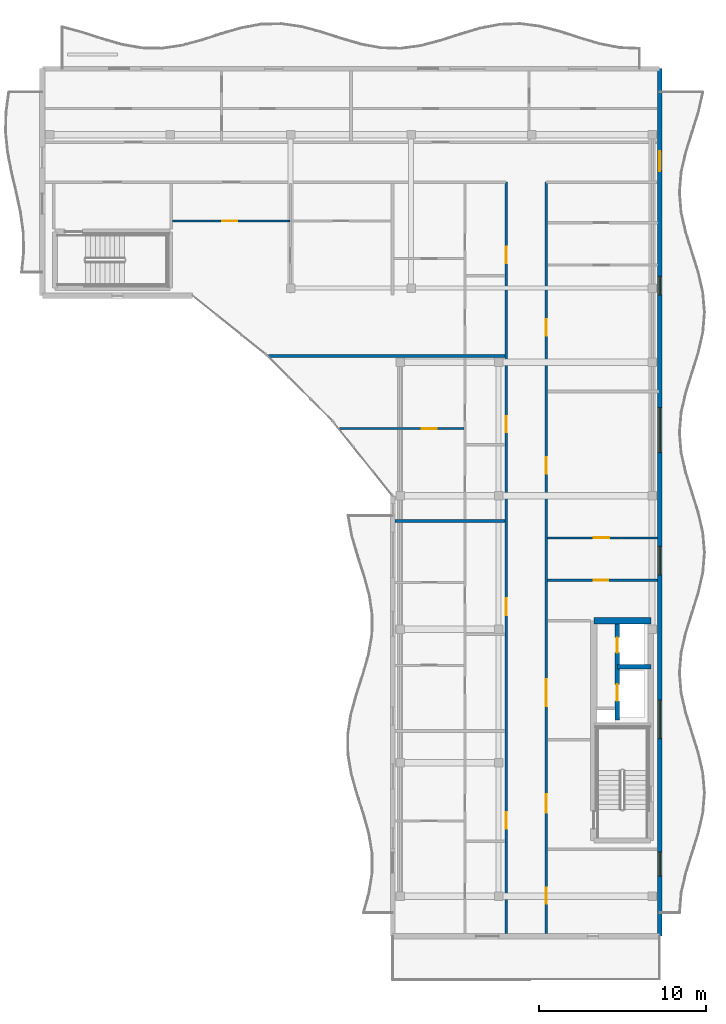
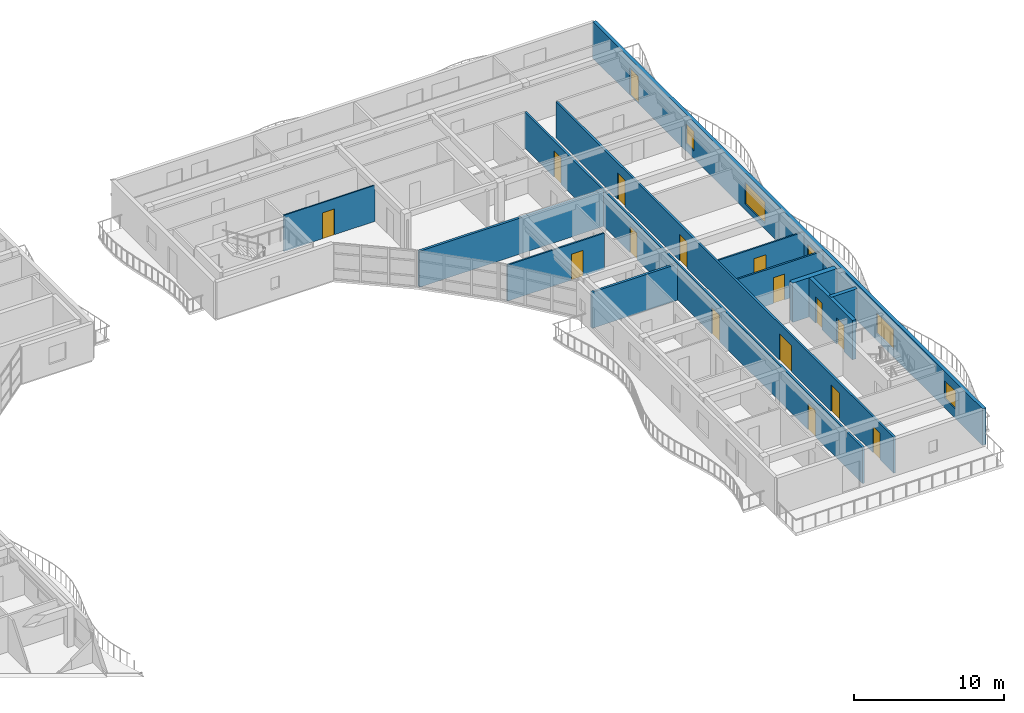
# One storey, part 20 of 30: 16 doors, 12 walls, 5 windows, 21 openings.
"""IFC4 building model written with IfcOpenShell, lengths in metres."""

from ifc_helpers import new_model, si_unit, direction, frame, frame_2d, origin, place, context, subcontext, project, spatial, rectangle, extrude, material, layer, layer_set, type_object, element, fill, save


model = new_model("IFC4")

# Units and contexts
model_context = context("Model", 3, precision=1e-05, world=origin(), true_north=direction((0.0, 1.0)))
body_context = subcontext(model_context, "Body", "Model", "MODEL_VIEW")
ifc_project = project(units=[si_unit("LENGTHUNIT", "METRE"), si_unit("AREAUNIT", "SQUARE_METRE"), si_unit("VOLUMEUNIT", "CUBIC_METRE"), si_unit("PLANEANGLEUNIT", "RADIAN"), si_unit("MASSUNIT", "GRAM", prefix="KILO")], contexts=[model_context])

# Site, building, storey
site_placement = place(None, origin())
site = spatial("IfcSite", under=ifc_project, at=site_placement, CompositionType="ELEMENT")
building_placement = place(site_placement, origin())
building = spatial("IfcBuilding", under=site, at=building_placement, Name="Keldmere Railside Commons", CompositionType="ELEMENT")
storey_placement = place(building_placement, frame((0.0, 0.0, 36.159912109375)))
storey = spatial("IfcBuildingStorey", under=building, at=storey_placement, Name="L11", CompositionType="ELEMENT", Elevation=36.159912109375)

# Walls
ifc_material_1 = material(Name="Acoustic Gypsum Board Partition", Category="gypsum")
ifc_layer_1 = layer(ifc_material_1, 0.179931640625, Name="Acoustic Demising Partition 180")
ifc_layer_set_1 = layer_set([ifc_layer_1], Name="Acoustic Gypsum Board Partition")
wall_type_1 = type_object("IfcWallType", Name="Acoustic Demising Partition 180", PredefinedType="PARTITIONING", material=ifc_layer_set_1)
wall_1_placement = place(storey_placement, frame((168.1298828125, 86.489990234375, 0.0), z_axis=(0.0, 0.0, 1.0), x_axis=(1.0, 0.0, 0.0)))
element("IfcWall", 1, at=wall_1_placement, inside=storey, type_object=wall_type_1, Name="IW-1 IW-L11-1862", PredefinedType="PARTITIONING", context=body_context, shape_type="SweptSolid", body=[
    extrude(rectangle(XDim=6.590087890625, YDim=0.179931640625, at=frame_2d((3.294921875, 0.0))), origin(), (0.0, 0.0, 1.0), 2.93505859375),
])
wall_2_placement = place(storey_placement, frame((160.552490234375, 96.3798828125, 0.0), z_axis=(0.0, 0.0, 1.0), x_axis=(1.0, 0.0, 0.0)))
element("IfcWall", 2, at=wall_2_placement, inside=storey, type_object=wall_type_1, Name="IW-1 IW-L11-1863", PredefinedType="PARTITIONING", context=body_context, shape_type="SweptSolid", body=[
    extrude(rectangle(XDim=14.16748046875, YDim=0.179931640625, at=frame_2d((7.083740234375, 0.0))), origin(), (0.0, 0.0, 1.0), 2.93505859375),
])

# Wall, opening, door
ifc_layer_2 = layer(ifc_material_1, 0.1201171875, Name="Apartment Interior Partition 120")
ifc_layer_set_2 = layer_set([ifc_layer_2], Name="Acoustic Gypsum Board Partition")
wall_type_2 = type_object("IfcWallType", Name="Apartment Interior Partition 120", PredefinedType="PARTITIONING", material=ifc_layer_set_2)
wall_3_placement = place(storey_placement, frame((164.826171875, 92.02001953125, 0.0), z_axis=(0.0, 0.0, 1.0), x_axis=(1.0, 0.0, 0.0)))
wall_3 = element("IfcWall", 3, at=wall_3_placement, inside=storey, type_object=wall_type_2, Name="IW-4 IW-L11-1873", PredefinedType="PARTITIONING", context=body_context, shape_type="SweptSolid", body=[
    extrude(rectangle(XDim=7.453857421875, YDim=0.1201171875, at=frame_2d((3.72705078125, 0.0))), origin(), (0.0, 0.0, 1.0), 2.93505859375),
])
opening_1_placement = place(wall_3_placement, frame((4.928955078125, 0.0, 0.0)))
opening_1 = element("IfcOpeningElement", 4, at=opening_1_placement, cuts=wall_3, Name="Opening ID-01", PredefinedType="OPENING", context=body_context, shape_type="SweptSolid", body=[
    extrude(rectangle(XDim=0.89990234375, YDim=2.10009765625, at=frame_2d((0.449951171875, 1.050048828125))), frame((0.0, 0.070068359375, 0.0), z_axis=(0.0, -1.0, 0.0), x_axis=(1.0, 0.0, 0.0)), (0.0, 0.0, 1.0), 0.14013671875),
])
ifc_material_2 = material(Name="Engineered Oak Timber", Category="wood")
door_type_1 = type_object("IfcDoorType", Name="Primary Bedroom Door 900x2100", OperationType="NOTDEFINED", PredefinedType="DOOR", material=ifc_material_2)
door_1_placement = place(opening_1_placement, origin())
door_1 = element("IfcDoor", 5, at=door_1_placement, inside=storey, type_object=door_type_1, Name="ID-01 IDR-L11-1713", OperationType="SINGLE_SWING_LEFT", OverallHeight=2.10009765625, OverallWidth=0.89990234375, PredefinedType="DOOR", context=body_context, shape_type="SweptSolid", body=[
    extrude(rectangle(XDim=0.89990234375, YDim=2.10009765625, at=frame_2d((0.449951171875, 1.050048828125))), frame((0.0, 0.02490234375, 0.0), z_axis=(0.0, -1.0, 0.0), x_axis=(1.0, 0.0, 0.0)), (0.0, 0.0, 1.0), 0.050048828125),
])
fill(opening_1, door_1)

wall_4_placement = place(storey_placement, frame((177.280029296875, 85.47998046875, 0.0), z_axis=(0.0, 0.0, 1.0), x_axis=(1.0, 0.0, 0.0)))
wall_4 = element("IfcWall", 6, at=wall_4_placement, inside=storey, type_object=wall_type_2, Name="IW-4 IW-L11-1889", PredefinedType="PARTITIONING", context=body_context, shape_type="SweptSolid", body=[
    extrude(rectangle(XDim=6.590087890625, YDim=0.1201171875, at=frame_2d((3.294921875, 0.0))), origin(), (0.0, 0.0, 1.0), 2.93505859375),
])
opening_2_placement = place(wall_4_placement, frame((2.767822265625, 0.0, 0.0)))
opening_2 = element("IfcOpeningElement", 7, at=opening_2_placement, cuts=wall_4, Name="Opening ID-03", PredefinedType="OPENING", context=body_context, shape_type="SweptSolid", body=[
    extrude(rectangle(XDim=0.919921875, YDim=2.10009765625, at=frame_2d((0.4599609375, 1.050048828125))), frame((0.0, 0.070068359375, 0.0), z_axis=(0.0, -1.0, 0.0), x_axis=(1.0, 0.0, 0.0)), (0.0, 0.0, 1.0), 0.14013671875),
])
door_type_2 = type_object("IfcDoorType", Name="Kitchen Pocket-Frame Swing Door 920x2100", OperationType="NOTDEFINED", PredefinedType="DOOR", material=ifc_material_2)
door_2_placement = place(opening_2_placement, origin())
door_2 = element("IfcDoor", 8, at=door_2_placement, inside=storey, type_object=door_type_2, Name="ID-03 IDR-L11-1733", OperationType="SINGLE_SWING_LEFT", OverallHeight=2.10009765625, OverallWidth=0.919921875, PredefinedType="DOOR", context=body_context, shape_type="SweptSolid", body=[
    extrude(rectangle(XDim=0.919921875, YDim=2.10009765625, at=frame_2d((0.4599609375, 1.050048828125))), frame((0.0, 0.02490234375, 0.0), z_axis=(0.0, -1.0, 0.0), x_axis=(1.0, 0.0, 0.0)), (0.0, 0.0, 1.0), 0.050048828125),
])
fill(opening_2, door_2)

ifc_layer_3 = layer(ifc_material_1, 0.10009765625, Name="Closet Light Partition 100")
ifc_layer_set_3 = layer_set([ifc_layer_3], Name="Acoustic Gypsum Board Partition")
wall_type_3 = type_object("IfcWallType", Name="Closet Light Partition 100", PredefinedType="PARTITIONING", material=ifc_layer_set_3)
wall_5_placement = place(storey_placement, frame((154.800048828125, 104.469970703125, 0.0), z_axis=(0.0, 0.0, 1.0), x_axis=(1.0, 0.0, 0.0)))
wall_5 = element("IfcWall", 9, at=wall_5_placement, inside=storey, type_object=wall_type_3, Name="IW-6 IW-L11-1886", PredefinedType="PARTITIONING", context=body_context, shape_type="SweptSolid", body=[
    extrude(rectangle(XDim=7.02001953125, YDim=0.10009765625, at=frame_2d((3.510009765625, 0.0))), origin(), (0.0, 0.0, 1.0), 2.93505859375),
])
opening_3_placement = place(wall_5_placement, frame((2.9736328125, 0.0, 0.0)))
opening_3 = element("IfcOpeningElement", 10, at=opening_3_placement, cuts=wall_5, Name="Opening ID-03", PredefinedType="OPENING", context=body_context, shape_type="SweptSolid", body=[
    extrude(rectangle(XDim=0.919921875, YDim=2.10009765625, at=frame_2d((0.4599609375, 1.050048828125))), frame((0.0, 0.06005859375, 0.0), z_axis=(0.0, -1.0, 0.0), x_axis=(1.0, 0.0, 0.0)), (0.0, 0.0, 1.0), 0.1201171875),
])
door_3_placement = place(opening_3_placement, origin())
door_3 = element("IfcDoor", 11, at=door_3_placement, inside=storey, type_object=door_type_2, Name="ID-03 IDR-L11-1728", OperationType="SINGLE_SWING_RIGHT", OverallHeight=2.10009765625, OverallWidth=0.919921875, PredefinedType="DOOR", context=body_context, shape_type="SweptSolid", body=[
    extrude(rectangle(XDim=0.919921875, YDim=2.10009765625, at=frame_2d((0.4599609375, 1.050048828125))), frame((0.0, 0.02490234375, 0.0), z_axis=(0.0, -1.0, 0.0), x_axis=(1.0, 0.0, 0.0)), (0.0, 0.0, 1.0), 0.050048828125),
])
fill(opening_3, door_3)

# Wall
ifc_material_3 = material(Name="Concrete H-35 (C35/45)", Category="concrete")
ifc_layer_4 = layer(ifc_material_3, 0.280029296875, Name="Core Shear Wall 280")
ifc_layer_set_4 = layer_set([ifc_layer_4], Name="Concrete H-35 (C35/45)")
wall_type_4 = type_object("IfcWallType", Name="Core Shear Wall 280", PredefinedType="SHEAR", material=ifc_layer_set_4)
wall_6_placement = place(storey_placement, frame((181.469970703125, 77.75, 0.0), z_axis=(0.0, 0.0, 1.0), x_axis=(1.0, 0.0, 0.0)))
element("IfcWall", 12, at=wall_6_placement, inside=storey, type_object=wall_type_4, Name="CSW-2 COREAL-L11-0845", PredefinedType="SHEAR", context=body_context, shape_type="SweptSolid", body=[
    extrude(rectangle(XDim=2.0, YDim=0.280029296875, at=frame_2d((1.0, 0.0))), origin(), (0.0, 0.0, 1.0), 3.2001953125),
])

# Wall, openings, doors
wall_7_placement = place(storey_placement, frame((181.469970703125, 74.550048828125, 0.0), z_axis=(0.0, 0.0, 1.0), x_axis=(0.0, 1.0, 0.0)))
wall_7 = element("IfcWall", 13, at=wall_7_placement, inside=storey, type_object=wall_type_4, Name="CSW-2 LSHA-L11-0846", PredefinedType="SHEAR", context=body_context, shape_type="SweptSolid", body=[
    extrude(rectangle(XDim=5.949951171875, YDim=0.280029296875, at=frame_2d((2.97509765625, 0.0))), origin(), (0.0, 0.0, 1.0), 3.2001953125),
])
opening_4_placement = place(wall_7_placement, frame((1.14990234375, 0.0, 0.0)))
opening_4 = element("IfcOpeningElement", 14, at=opening_4_placement, cuts=wall_7, Name="Opening LD-1", PredefinedType="OPENING", context=body_context, shape_type="SweptSolid", body=[
    extrude(rectangle(XDim=1.0, YDim=2.14990234375, at=frame_2d((0.5, 1.074951171875))), frame((0.0, 0.14990234375, 0.0), z_axis=(0.0, -1.0, 0.0), x_axis=(1.0, 0.0, 0.0)), (0.0, 0.0, 1.0), 0.300048828125),
])
opening_5_placement = place(wall_7_placement, frame((4.050048828125, 0.0, 0.0)))
opening_5 = element("IfcOpeningElement", 15, at=opening_5_placement, cuts=wall_7, Name="Opening LD-2", PredefinedType="OPENING", context=body_context, shape_type="SweptSolid", body=[
    extrude(rectangle(XDim=0.89990234375, YDim=2.14990234375, at=frame_2d((0.449951171875, 1.074951171875))), frame((0.0, 0.14990234375, 0.0), z_axis=(0.0, -1.0, 0.0), x_axis=(1.0, 0.0, 0.0)), (0.0, 0.0, 1.0), 0.300048828125),
])
ifc_material_4 = material(Name="Steel F-24 (S235)", Category="steel")
door_type_3 = type_object("IfcDoorType", Name="Firefighting Stretcher Lift Landing Door 1000x2150", OperationType="SLIDING_TO_LEFT", PredefinedType="DOOR", material=ifc_material_4)
door_4_placement = place(opening_4_placement, origin())
door_4 = element("IfcDoor", 16, at=door_4_placement, inside=storey, type_object=door_type_3, Name="LD-1 A L11", OperationType="SLIDING_TO_LEFT", OverallHeight=2.14990234375, OverallWidth=1.0, PredefinedType="DOOR", context=body_context, shape_type="SweptSolid", body=[
    extrude(rectangle(XDim=1.0, YDim=2.14990234375, at=frame_2d((0.5, 1.074951171875))), frame((0.0, 0.02490234375, 0.0), z_axis=(0.0, -1.0, 0.0), x_axis=(1.0, 0.0, 0.0)), (0.0, 0.0, 1.0), 0.050048828125),
])
fill(opening_4, door_4)
door_type_4 = type_object("IfcDoorType", Name="Passenger Lift Sliding Landing Door 900x2150", OperationType="SLIDING_TO_RIGHT", PredefinedType="DOOR", material=ifc_material_4)
door_5_placement = place(opening_5_placement, origin())
door_5 = element("IfcDoor", 17, at=door_5_placement, inside=storey, type_object=door_type_4, Name="LD-2 A L11", OperationType="SLIDING_TO_RIGHT", OverallHeight=2.14990234375, OverallWidth=0.89990234375, PredefinedType="DOOR", context=body_context, shape_type="SweptSolid", body=[
    extrude(rectangle(XDim=0.89990234375, YDim=2.14990234375, at=frame_2d((0.449951171875, 1.074951171875))), frame((0.0, 0.02490234375, 0.0), z_axis=(0.0, -1.0, 0.0), x_axis=(1.0, 0.0, 0.0)), (0.0, 0.0, 1.0), 0.050048828125),
])
fill(opening_5, door_5)

# Wall
ifc_material_5 = material(Name="Concrete H-40 (C40/50)", Category="concrete")
ifc_layer_5 = layer(ifc_material_5, 0.3798828125, Name="Core Shear Wall 380")
ifc_layer_set_5 = layer_set([ifc_layer_5], Name="Concrete H-40 (C40/50)")
wall_type_5 = type_object("IfcWallType", Name="Core Shear Wall 380", PredefinedType="SHEAR", material=ifc_layer_set_5)
wall_8_placement = place(storey_placement, frame((180.06005859375, 80.5, 0.0), z_axis=(0.0, 0.0, 1.0), x_axis=(1.0, 0.0, 0.0)))
element("IfcWall", 18, at=wall_8_placement, inside=storey, type_object=wall_type_5, Name="CW-CORE COREAN-L11-0841", PredefinedType="SHEAR", context=body_context, shape_type="SweptSolid", body=[
    extrude(rectangle(XDim=3.409912109375, YDim=0.3798828125, at=frame_2d((1.705078125, 0.0))), origin(), (0.0, 0.0, 1.0), 3.2001953125),
])

# Wall, openings, doors
ifc_layer_6 = layer(ifc_material_1, 0.159912109375, Name="Corridor Fire Partition 160")
ifc_layer_set_6 = layer_set([ifc_layer_6], Name="Acoustic Gypsum Board Partition")
wall_type_6 = type_object("IfcWallType", Name="Corridor Fire Partition 160", PredefinedType="PARTITIONING", material=ifc_layer_set_6)
wall_9_placement = place(storey_placement, frame((174.800048828125, 61.760009765625, 0.0), z_axis=(0.0, 0.0, 1.0), x_axis=(0.0, 1.0, 0.0)))
wall_9 = element("IfcWall", 19, at=wall_9_placement, inside=storey, type_object=wall_type_6, Name="IW-2 IW-L11-1853", PredefinedType="PARTITIONING", context=body_context, shape_type="SweptSolid", body=[
    extrude(rectangle(XDim=45.0400390625, YDim=0.159912109375, at=frame_2d((22.52001953125, 0.0))), origin(), (0.0, 0.0, 1.0), 2.93505859375),
])
opening_6_placement = place(wall_9_placement, frame((6.2900390625, 0.0, 0.0)))
opening_6 = element("IfcOpeningElement", 20, at=opening_6_placement, cuts=wall_9, Name="Opening FD-7", PredefinedType="OPENING", context=body_context, shape_type="SweptSolid", body=[
    extrude(rectangle(XDim=0.97998046875, YDim=2.14990234375, at=frame_2d((0.489990234375, 1.074951171875))), frame((0.0, 0.08984375, 0.0), z_axis=(0.0, -1.0, 0.0), x_axis=(1.0, 0.0, 0.0)), (0.0, 0.0, 1.0), 0.179931640625),
])
opening_7_placement = place(wall_9_placement, frame((19.090087890625, 0.0, 0.0)))
opening_7 = element("IfcOpeningElement", 21, at=opening_7_placement, cuts=wall_9, Name="Opening FD-8", PredefinedType="OPENING", context=body_context, shape_type="SweptSolid", body=[
    extrude(rectangle(XDim=1.02001953125, YDim=2.14990234375, at=frame_2d((0.510009765625, 1.074951171875))), frame((0.0, 0.08984375, 0.0), z_axis=(0.0, -1.0, 0.0), x_axis=(1.0, 0.0, 0.0)), (0.0, 0.0, 1.0), 0.179931640625),
])
opening_8_placement = place(wall_9_placement, frame((30.0400390625, 0.0, 0.0)))
opening_8 = element("IfcOpeningElement", 22, at=opening_8_placement, cuts=wall_9, Name="Opening FD-7", PredefinedType="OPENING", context=body_context, shape_type="SweptSolid", body=[
    extrude(rectangle(XDim=0.97998046875, YDim=2.14990234375, at=frame_2d((0.489990234375, 1.074951171875))), frame((0.0, 0.08984375, 0.0), z_axis=(0.0, -1.0, 0.0), x_axis=(1.0, 0.0, 0.0)), (0.0, 0.0, 1.0), 0.179931640625),
])
opening_9_placement = place(wall_9_placement, frame((40.179931640625, 0.0, 0.0)))
opening_9 = element("IfcOpeningElement", 23, at=opening_9_placement, cuts=wall_9, Name="Opening FD-7", PredefinedType="OPENING", context=body_context, shape_type="SweptSolid", body=[
    extrude(rectangle(XDim=0.97998046875, YDim=2.14990234375, at=frame_2d((0.489990234375, 1.074951171875))), frame((0.0, 0.08984375, 0.0), z_axis=(0.0, -1.0, 0.0), x_axis=(1.0, 0.0, 0.0)), (0.0, 0.0, 1.0), 0.179931640625),
])
door_type_5 = type_object("IfcDoorType", Name="Adaptable Apartment Entrance Fire Door 1020x2150", OperationType="NOTDEFINED", PredefinedType="DOOR", material=ifc_material_2)
door_6_placement = place(opening_7_placement, origin())
door_6 = element("IfcDoor", 24, at=door_6_placement, inside=storey, type_object=door_type_5, Name="FD-8 IDR-L11-1707", OperationType="SINGLE_SWING_LEFT", OverallHeight=2.14990234375, OverallWidth=1.02001953125, PredefinedType="DOOR", context=body_context, shape_type="SweptSolid", body=[
    extrude(rectangle(XDim=1.02001953125, YDim=2.14990234375, at=frame_2d((0.510009765625, 1.074951171875))), frame((0.0, 0.02490234375, 0.0), z_axis=(0.0, -1.0, 0.0), x_axis=(1.0, 0.0, 0.0)), (0.0, 0.0, 1.0), 0.050048828125),
])
fill(opening_7, door_6)
door_type_6 = type_object("IfcDoorType", Name="Apartment Entrance Acoustic Fire Door 980x2150", OperationType="NOTDEFINED", PredefinedType="DOOR", material=ifc_material_2)
door_7_placement = place(opening_6_placement, origin())
door_7 = element("IfcDoor", 25, at=door_7_placement, inside=storey, type_object=door_type_6, Name="FD-7 IDR-L11-1703", OperationType="SINGLE_SWING_LEFT", OverallHeight=2.14990234375, OverallWidth=0.97998046875, PredefinedType="DOOR", context=body_context, shape_type="SweptSolid", body=[
    extrude(rectangle(XDim=0.97998046875, YDim=2.14990234375, at=frame_2d((0.489990234375, 1.074951171875))), frame((0.0, 0.02490234375, 0.0), z_axis=(0.0, -1.0, 0.0), x_axis=(1.0, 0.0, 0.0)), (0.0, 0.0, 1.0), 0.050048828125),
])
fill(opening_6, door_7)
door_8_placement = place(opening_8_placement, origin())
door_8 = element("IfcDoor", 26, at=door_8_placement, inside=storey, type_object=door_type_6, Name="FD-7 IDR-L11-1712", OperationType="SINGLE_SWING_RIGHT", OverallHeight=2.14990234375, OverallWidth=0.97998046875, PredefinedType="DOOR", context=body_context, shape_type="SweptSolid", body=[
    extrude(rectangle(XDim=0.97998046875, YDim=2.14990234375, at=frame_2d((0.489990234375, 1.074951171875))), frame((0.0, 0.02490234375, 0.0), z_axis=(0.0, -1.0, 0.0), x_axis=(1.0, 0.0, 0.0)), (0.0, 0.0, 1.0), 0.050048828125),
])
fill(opening_8, door_8)
door_9_placement = place(opening_9_placement, origin())
door_9 = element("IfcDoor", 27, at=door_9_placement, inside=storey, type_object=door_type_6, Name="FD-7 IDR-L11-1716", OperationType="SINGLE_SWING_RIGHT", OverallHeight=2.14990234375, OverallWidth=0.97998046875, PredefinedType="DOOR", context=body_context, shape_type="SweptSolid", body=[
    extrude(rectangle(XDim=0.97998046875, YDim=2.14990234375, at=frame_2d((0.489990234375, 1.074951171875))), frame((0.0, 0.02490234375, 0.0), z_axis=(0.0, -1.0, 0.0), x_axis=(1.0, 0.0, 0.0)), (0.0, 0.0, 1.0), 0.050048828125),
])
fill(opening_9, door_9)

wall_10_placement = place(storey_placement, frame((177.199951171875, 61.760009765625, 0.0), z_axis=(0.0, 0.0, 1.0), x_axis=(0.0, 1.0, 0.0)))
wall_10 = element("IfcWall", 28, at=wall_10_placement, inside=storey, type_object=wall_type_6, Name="IW-2 IW-L11-1854", PredefinedType="PARTITIONING", context=body_context, shape_type="SweptSolid", body=[
    extrude(rectangle(XDim=45.0400390625, YDim=0.159912109375, at=frame_2d((22.52001953125, 0.0))), origin(), (0.0, 0.0, 1.0), 2.93505859375),
])
opening_10_placement = place(wall_10_placement, frame((7.239990234375, 0.0, 0.0)))
opening_10 = element("IfcOpeningElement", 29, at=opening_10_placement, cuts=wall_10, Name="Opening FD-2", PredefinedType="OPENING", context=body_context, shape_type="SweptSolid", body=[
    extrude(rectangle(XDim=1.10009765625, YDim=2.14990234375, at=frame_2d((0.550048828125, 1.074951171875))), frame((0.0, 0.08984375, 0.0), z_axis=(0.0, -1.0, 0.0), x_axis=(1.0, 0.0, 0.0)), (0.0, 0.0, 1.0), 0.179931640625),
])
opening_11_placement = place(wall_10_placement, frame((13.639892578125, 0.0, 0.0)))
opening_11 = element("IfcOpeningElement", 30, at=opening_11_placement, cuts=wall_10, Name="Opening FD-4", PredefinedType="OPENING", context=body_context, shape_type="SweptSolid", body=[
    extrude(rectangle(XDim=1.60009765625, YDim=2.14990234375, at=frame_2d((0.800048828125, 1.074951171875))), frame((0.0, 0.08984375, 0.0), z_axis=(0.0, -1.0, 0.0), x_axis=(1.0, 0.0, 0.0)), (0.0, 0.0, 1.0), 0.179931640625),
])
opening_12_placement = place(wall_10_placement, frame((1.800048828125, 0.0, 0.0)))
opening_12 = element("IfcOpeningElement", 31, at=opening_12_placement, cuts=wall_10, Name="Opening ID-08", PredefinedType="OPENING", context=body_context, shape_type="SweptSolid", body=[
    extrude(rectangle(XDim=0.9599609375, YDim=2.14990234375, at=frame_2d((0.47998046875, 1.074951171875))), frame((0.0, 0.08984375, 0.0), z_axis=(0.0, -1.0, 0.0), x_axis=(1.0, 0.0, 0.0)), (0.0, 0.0, 1.0), 0.179931640625),
])
opening_13_placement = place(wall_10_placement, frame((27.570068359375, 0.0, 0.0)))
opening_13 = element("IfcOpeningElement", 32, at=opening_13_placement, cuts=wall_10, Name="Opening FD-7", PredefinedType="OPENING", context=body_context, shape_type="SweptSolid", body=[
    extrude(rectangle(XDim=0.97998046875, YDim=2.14990234375, at=frame_2d((0.489990234375, 1.074951171875))), frame((0.0, 0.08984375, 0.0), z_axis=(0.0, -1.0, 0.0), x_axis=(1.0, 0.0, 0.0)), (0.0, 0.0, 1.0), 0.179931640625),
])
opening_14_placement = place(wall_10_placement, frame((35.830078125, 0.0, 0.0)))
opening_14 = element("IfcOpeningElement", 33, at=opening_14_placement, cuts=wall_10, Name="Opening FD-7", PredefinedType="OPENING", context=body_context, shape_type="SweptSolid", body=[
    extrude(rectangle(XDim=0.97998046875, YDim=2.14990234375, at=frame_2d((0.489990234375, 1.074951171875))), frame((0.0, 0.08984375, 0.0), z_axis=(0.0, -1.0, 0.0), x_axis=(1.0, 0.0, 0.0)), (0.0, 0.0, 1.0), 0.179931640625),
])
door_10_placement = place(opening_13_placement, origin())
door_10 = element("IfcDoor", 34, at=door_10_placement, inside=storey, type_object=door_type_6, Name="FD-7 IDR-L11-1734", OperationType="SINGLE_SWING_RIGHT", OverallHeight=2.14990234375, OverallWidth=0.97998046875, PredefinedType="DOOR", context=body_context, shape_type="SweptSolid", body=[
    extrude(rectangle(XDim=0.97998046875, YDim=2.14990234375, at=frame_2d((0.489990234375, 1.074951171875))), frame((0.0, 0.02490234375, 0.0), z_axis=(0.0, -1.0, 0.0), x_axis=(1.0, 0.0, 0.0)), (0.0, 0.0, 1.0), 0.050048828125),
])
fill(opening_13, door_10)
door_11_placement = place(opening_14_placement, origin())
door_11 = element("IfcDoor", 35, at=door_11_placement, inside=storey, type_object=door_type_6, Name="FD-7 IDR-L11-1737", OperationType="SINGLE_SWING_LEFT", OverallHeight=2.14990234375, OverallWidth=0.97998046875, PredefinedType="DOOR", context=body_context, shape_type="SweptSolid", body=[
    extrude(rectangle(XDim=0.97998046875, YDim=2.14990234375, at=frame_2d((0.489990234375, 1.074951171875))), frame((0.0, 0.02490234375, 0.0), z_axis=(0.0, -1.0, 0.0), x_axis=(1.0, 0.0, 0.0)), (0.0, 0.0, 1.0), 0.050048828125),
])
fill(opening_14, door_11)
door_type_7 = type_object("IfcDoorType", Name="Corridor Cross-Compartment Double Fire Door 1600x2150", OperationType="DOUBLE_DOOR_SINGLE_SWING", PredefinedType="DOOR", material=ifc_material_4)
door_12_placement = place(opening_11_placement, origin())
door_12 = element("IfcDoor", 36, at=door_12_placement, inside=storey, type_object=door_type_7, Name="FD-4 IDR-L11-1700", OperationType="DOUBLE_DOOR_SINGLE_SWING", OverallHeight=2.14990234375, OverallWidth=1.60009765625, PredefinedType="DOOR", context=body_context, shape_type="SweptSolid", body=[
    extrude(rectangle(XDim=1.60009765625, YDim=2.14990234375, at=frame_2d((0.800048828125, 1.074951171875))), frame((0.0, 0.02490234375, 0.0), z_axis=(0.0, -1.0, 0.0), x_axis=(1.0, 0.0, 0.0)), (0.0, 0.0, 1.0), 0.050048828125),
])
fill(opening_11, door_12)
door_type_8 = type_object("IfcDoorType", Name="Firefighting Lobby Fire Door 1100x2150", OperationType="NOTDEFINED", PredefinedType="DOOR", material=ifc_material_4)
door_13_placement = place(opening_10_placement, origin())
door_13 = element("IfcDoor", 37, at=door_13_placement, inside=storey, type_object=door_type_8, Name="FD-2 IDR-L11-1699", OperationType="SINGLE_SWING_LEFT", OverallHeight=2.14990234375, OverallWidth=1.10009765625, PredefinedType="DOOR", context=body_context, shape_type="SweptSolid", body=[
    extrude(rectangle(XDim=1.10009765625, YDim=2.14990234375, at=frame_2d((0.550048828125, 1.074951171875))), frame((0.0, 0.02490234375, 0.0), z_axis=(0.0, -1.0, 0.0), x_axis=(1.0, 0.0, 0.0)), (0.0, 0.0, 1.0), 0.050048828125),
])
fill(opening_10, door_13)
door_type_9 = type_object("IfcDoorType", Name="Study & Meeting Room Door 960x2150", OperationType="NOTDEFINED", PredefinedType="DOOR", material=ifc_material_2)
door_14_placement = place(opening_12_placement, origin())
door_14 = element("IfcDoor", 38, at=door_14_placement, inside=storey, type_object=door_type_9, Name="ID-08 IDR-L11-1731", OperationType="SINGLE_SWING_LEFT", OverallHeight=2.14990234375, OverallWidth=0.9599609375, PredefinedType="DOOR", context=body_context, shape_type="SweptSolid", body=[
    extrude(rectangle(XDim=0.9599609375, YDim=2.14990234375, at=frame_2d((0.47998046875, 1.074951171875))), frame((0.0, 0.02490234375, 0.0), z_axis=(0.0, -1.0, 0.0), x_axis=(1.0, 0.0, 0.0)), (0.0, 0.0, 1.0), 0.050048828125),
])
fill(opening_12, door_14)

# Wall, openings, door, windows
ifc_material_6 = material(Name="Terracotta Brick Masonry", Category="masonry")
ifc_layer_7 = layer(ifc_material_6, 0.260009765625, Name="Terracotta Cavity Wall 260")
ifc_layer_set_7 = layer_set([ifc_layer_7], Name="Terracotta Brick Masonry")
wall_type_7 = type_object("IfcWallType", Name="Terracotta Cavity Wall 260", PredefinedType="SOLIDWALL", material=ifc_layer_set_7)
wall_11_placement = place(storey_placement, frame((184.0, 113.60009765625, 0.0), z_axis=(0.0, 0.0, 1.0), x_axis=(0.0, -1.0, 0.0)))
wall_11 = element("IfcWall", 39, at=wall_11_placement, inside=storey, type_object=wall_type_7, Name="EW-1 EXTA-L11-0952", PredefinedType="SOLIDWALL", context=body_context, shape_type="SweptSolid", body=[
    extrude(rectangle(XDim=52.0, YDim=0.260009765625, at=frame_2d((26.0, 0.0))), origin(), (0.0, 0.0, 1.0), 2.97998046875),
])
opening_15_placement = place(wall_11_placement, frame((4.933349609375, 0.0, 0.0)))
opening_15 = element("IfcOpeningElement", 40, at=opening_15_placement, cuts=wall_11, Name="Opening BD-01", PredefinedType="OPENING", context=body_context, shape_type="SweptSolid", body=[
    extrude(rectangle(XDim=1.199951171875, YDim=2.199951171875, at=frame_2d((0.60009765625, 1.10009765625))), frame((0.0, 0.139892578125, 0.0), z_axis=(0.0, -1.0, 0.0), x_axis=(1.0, 0.0, 0.0)), (0.0, 0.0, 1.0), 0.280029296875),
])
opening_16_placement = place(wall_11_placement, frame((12.449951171875, 0.0, 0.6201171875)))
opening_16 = element("IfcOpeningElement", 41, at=opening_16_placement, cuts=wall_11, Name="Opening WN-16", PredefinedType="OPENING", context=body_context, shape_type="SweptSolid", body=[
    extrude(rectangle(XDim=1.10009765625, YDim=1.60009765625, at=frame_2d((0.550048828125, 0.800048828125))), frame((0.0, 0.139892578125, 0.0), z_axis=(0.0, -1.0, 0.0), x_axis=(1.0, 0.0, 0.0)), (0.0, 0.0, 1.0), 0.280029296875),
])
opening_17_placement = place(wall_11_placement, frame((20.316650390625, 0.0, 0.469970703125)))
opening_17 = element("IfcOpeningElement", 42, at=opening_17_placement, cuts=wall_11, Name="Opening WN-19", PredefinedType="OPENING", context=body_context, shape_type="SweptSolid", body=[
    extrude(rectangle(XDim=2.699951171875, YDim=1.75, at=frame_2d((1.35009765625, 0.875))), frame((0.0, 0.139892578125, 0.0), z_axis=(0.0, -1.0, 0.0), x_axis=(1.0, 0.0, 0.0)), (0.0, 0.0, 1.0), 0.280029296875),
])
opening_18_placement = place(wall_11_placement, frame((28.63330078125, 0.0, 0.719970703125)))
opening_18 = element("IfcOpeningElement", 43, at=opening_18_placement, cuts=wall_11, Name="Opening WN-20", PredefinedType="OPENING", context=body_context, shape_type="SweptSolid", body=[
    extrude(rectangle(XDim=1.699951171875, YDim=1.5, at=frame_2d((0.85009765625, 0.75))), frame((0.0, 0.139892578125, 0.0), z_axis=(0.0, -1.0, 0.0), x_axis=(1.0, 0.0, 0.0)), (0.0, 0.0, 1.0), 0.280029296875),
])
opening_19_placement = place(wall_11_placement, frame((37.85009765625, 0.0, 0.570068359375)))
opening_19 = element("IfcOpeningElement", 44, at=opening_19_placement, cuts=wall_11, Name="Opening WN-23", PredefinedType="OPENING", context=body_context, shape_type="SweptSolid", body=[
    extrude(rectangle(XDim=2.300048828125, YDim=1.64990234375, at=frame_2d((1.14990234375, 0.824951171875))), frame((0.0, 0.139892578125, 0.0), z_axis=(0.0, -1.0, 0.0), x_axis=(1.0, 0.0, 0.0)), (0.0, 0.0, 1.0), 0.280029296875),
])
opening_20_placement = place(wall_11_placement, frame((46.941650390625, 0.0, 0.77001953125)))
opening_20 = element("IfcOpeningElement", 45, at=opening_20_placement, cuts=wall_11, Name="Opening WN-24", PredefinedType="OPENING", context=body_context, shape_type="SweptSolid", body=[
    extrude(rectangle(XDim=1.449951171875, YDim=1.449951171875, at=frame_2d((0.72509765625, 0.72509765625))), frame((0.0, 0.139892578125, 0.0), z_axis=(0.0, -1.0, 0.0), x_axis=(1.0, 0.0, 0.0)), (0.0, 0.0, 1.0), 0.280029296875),
])
ifc_material_7 = material(Name="Thermally Broken Aluminium", Category="aluminium")
door_type_10 = type_object("IfcDoorType", Name="Apartment Living Wave-Balcony Glazed Door 1200x2200", OperationType="NOTDEFINED", PredefinedType="DOOR", material=ifc_material_7)
door_15_placement = place(opening_15_placement, origin())
door_15 = element("IfcDoor", 46, at=door_15_placement, inside=storey, type_object=door_type_10, Name="BD-01 DR-L11-0280", OperationType="SINGLE_SWING_RIGHT", OverallHeight=2.199951171875, OverallWidth=1.199951171875, PredefinedType="DOOR", context=body_context, shape_type="SweptSolid", body=[
    extrude(rectangle(XDim=1.199951171875, YDim=2.199951171875, at=frame_2d((0.60009765625, 1.10009765625))), frame((0.0, 0.02490234375, 0.0), z_axis=(0.0, -1.0, 0.0), x_axis=(1.0, 0.0, 0.0)), (0.0, 0.0, 1.0), 0.050048828125),
])
fill(opening_15, door_15)
ifc_material_8 = material(Name="Low-E Insulated Double Glazing", Category="glass")
window_type_1 = type_object("IfcWindowType", Name="Corridor End Daylight Window 1100x1600", PartitioningType="SINGLE_PANEL", PredefinedType="WINDOW", material=ifc_material_8)
window_1_placement = place(opening_16_placement, origin())
window_1 = element("IfcWindow", 47, at=window_1_placement, inside=storey, type_object=window_type_1, Name="WN-16 WIN-L11-0773", OverallHeight=1.60009765625, OverallWidth=1.10009765625, PartitioningType="SINGLE_PANEL", PredefinedType="WINDOW", context=body_context, shape_type="SweptSolid", body=[
    extrude(rectangle(XDim=1.10009765625, YDim=1.60009765625, at=frame_2d((0.550048828125, 0.800048828125))), frame((0.0, 0.030029296875, 0.0), z_axis=(0.0, -1.0, 0.0), x_axis=(1.0, 0.0, 0.0)), (0.0, 0.0, 1.0), 0.06005859375),
])
fill(opening_16, window_1)
window_type_2 = type_object("IfcWindowType", Name="Resident Lounge Panorama Window 2700x1750", PartitioningType="SINGLE_PANEL", PredefinedType="WINDOW", material=ifc_material_8)
window_2_placement = place(opening_17_placement, origin())
window_2 = element("IfcWindow", 48, at=window_2_placement, inside=storey, type_object=window_type_2, Name="WN-19 WIN-L11-0774", OverallHeight=1.75, OverallWidth=2.699951171875, PartitioningType="SINGLE_PANEL", PredefinedType="WINDOW", context=body_context, shape_type="SweptSolid", body=[
    extrude(rectangle(XDim=2.699951171875, YDim=1.75, at=frame_2d((1.35009765625, 0.875))), frame((0.0, 0.030029296875, 0.0), z_axis=(0.0, -1.0, 0.0), x_axis=(1.0, 0.0, 0.0)), (0.0, 0.0, 1.0), 0.06005859375),
])
fill(opening_17, window_2)
window_type_3 = type_object("IfcWindowType", Name="Setback Terrace Bedroom Window 1450x1450", PartitioningType="SINGLE_PANEL", PredefinedType="WINDOW", material=ifc_material_8)
window_3_placement = place(opening_20_placement, origin())
window_3 = element("IfcWindow", 49, at=window_3_placement, inside=storey, type_object=window_type_3, Name="WN-24 WIN-L11-0777", OverallHeight=1.449951171875, OverallWidth=1.449951171875, PartitioningType="SINGLE_PANEL", PredefinedType="WINDOW", context=body_context, shape_type="SweptSolid", body=[
    extrude(rectangle(XDim=1.449951171875, YDim=1.449951171875, at=frame_2d((0.72509765625, 0.72509765625))), frame((0.0, 0.030029296875, 0.0), z_axis=(0.0, -1.0, 0.0), x_axis=(1.0, 0.0, 0.0)), (0.0, 0.0, 1.0), 0.06005859375),
])
fill(opening_20, window_3)
window_type_4 = type_object("IfcWindowType", Name="Setback Terrace Penthouse Window 2300x1650", PartitioningType="SINGLE_PANEL", PredefinedType="WINDOW", material=ifc_material_8)
window_4_placement = place(opening_19_placement, origin())
window_4 = element("IfcWindow", 50, at=window_4_placement, inside=storey, type_object=window_type_4, Name="WN-23 WIN-L11-0776", OverallHeight=1.64990234375, OverallWidth=2.300048828125, PartitioningType="SINGLE_PANEL", PredefinedType="WINDOW", context=body_context, shape_type="SweptSolid", body=[
    extrude(rectangle(XDim=2.300048828125, YDim=1.64990234375, at=frame_2d((1.14990234375, 0.824951171875))), frame((0.0, 0.030029296875, 0.0), z_axis=(0.0, -1.0, 0.0), x_axis=(1.0, 0.0, 0.0)), (0.0, 0.0, 1.0), 0.06005859375),
])
fill(opening_19, window_4)
window_type_5 = type_object("IfcWindowType", Name="Study Room Quiet Casement Window 1700x1500", PartitioningType="SINGLE_PANEL", PredefinedType="WINDOW", material=ifc_material_8)
window_5_placement = place(opening_18_placement, origin())
window_5 = element("IfcWindow", 51, at=window_5_placement, inside=storey, type_object=window_type_5, Name="WN-20 WIN-L11-0775", OverallHeight=1.5, OverallWidth=1.699951171875, PartitioningType="SINGLE_PANEL", PredefinedType="WINDOW", context=body_context, shape_type="SweptSolid", body=[
    extrude(rectangle(XDim=1.699951171875, YDim=1.5, at=frame_2d((0.85009765625, 0.75))), frame((0.0, 0.030029296875, 0.0), z_axis=(0.0, -1.0, 0.0), x_axis=(1.0, 0.0, 0.0)), (0.0, 0.0, 1.0), 0.06005859375),
])
fill(opening_18, window_5)

# Wall, opening, door
ifc_layer_8 = layer(ifc_material_1, 0.139892578125, Name="Wet-Room Sanitary Partition 140")
ifc_layer_set_8 = layer_set([ifc_layer_8], Name="Acoustic Gypsum Board Partition")
wall_type_8 = type_object("IfcWallType", Name="Wet-Room Sanitary Partition 140", PredefinedType="PARTITIONING", material=ifc_layer_set_8)
wall_12_placement = place(storey_placement, frame((177.280029296875, 82.929931640625, 0.0), z_axis=(0.0, 0.0, 1.0), x_axis=(1.0, 0.0, 0.0)))
wall_12 = element("IfcWall", 52, at=wall_12_placement, inside=storey, type_object=wall_type_8, Name="IW-5 IW-L11-1888", PredefinedType="PARTITIONING", context=body_context, shape_type="SweptSolid", body=[
    extrude(rectangle(XDim=6.590087890625, YDim=0.139892578125, at=frame_2d((3.294921875, 0.0))), origin(), (0.0, 0.0, 1.0), 2.93505859375),
])
opening_21_placement = place(wall_12_placement, frame((2.767822265625, 0.0, 0.0)))
opening_21 = element("IfcOpeningElement", 53, at=opening_21_placement, cuts=wall_12, Name="Opening ID-04", PredefinedType="OPENING", context=body_context, shape_type="SweptSolid", body=[
    extrude(rectangle(XDim=0.860107421875, YDim=2.10009765625, at=frame_2d((0.43017578125, 1.050048828125))), frame((0.0, 0.079833984375, 0.0), z_axis=(0.0, -1.0, 0.0), x_axis=(1.0, 0.0, 0.0)), (0.0, 0.0, 1.0), 0.159912109375),
])
door_type_11 = type_object("IfcDoorType", Name="Apartment Bathroom Door 860x2100", OperationType="NOTDEFINED", PredefinedType="DOOR", material=ifc_material_2)
door_16_placement = place(opening_21_placement, origin())
door_16 = element("IfcDoor", 54, at=door_16_placement, inside=storey, type_object=door_type_11, Name="ID-04 IDR-L11-1732", OperationType="SINGLE_SWING_RIGHT", OverallHeight=2.10009765625, OverallWidth=0.860107421875, PredefinedType="DOOR", context=body_context, shape_type="SweptSolid", body=[
    extrude(rectangle(XDim=0.860107421875, YDim=2.10009765625, at=frame_2d((0.43017578125, 1.050048828125))), frame((0.0, 0.02490234375, 0.0), z_axis=(0.0, -1.0, 0.0), x_axis=(1.0, 0.0, 0.0)), (0.0, 0.0, 1.0), 0.050048828125),
])
fill(opening_21, door_16)

save(model, "model.ifc")
